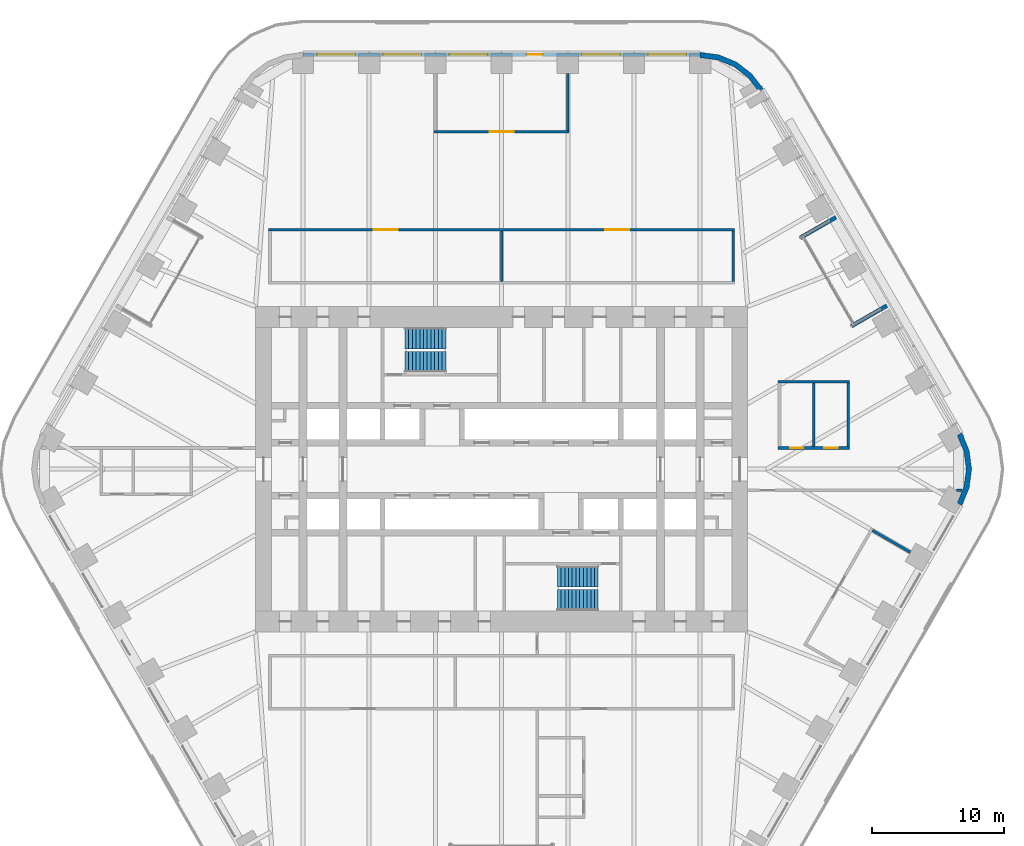
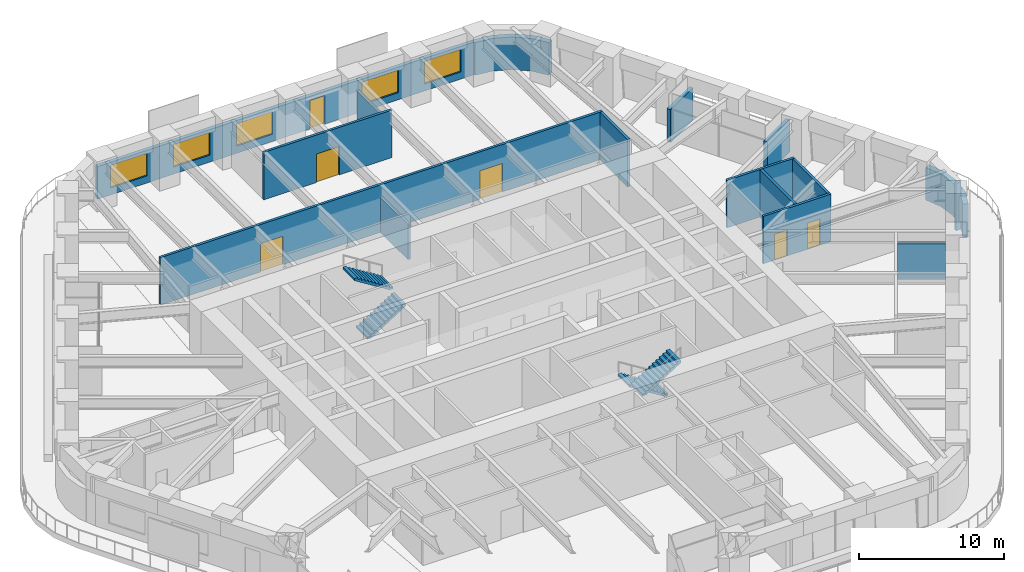
# One storey, part 21 of 24: 16 walls, 6 doors, 5 windows, 4 stair flights, 11 openings, 2 elements without a shape of their own.
"""IFC4 building model written with IfcOpenShell, lengths in metres."""

from ifc_helpers import new_model, si_unit, direction, frame, frame_2d, origin, place, context, subcontext, project, spatial, polyline, rectangle, outline, extrude, material, layer, layer_set, type_object, element, fill, aggregate, save


model = new_model("IFC4")

# Units and contexts
model_context = context("Model", 3, precision=1e-05, world=origin(), true_north=direction((0.0, 1.0)))
body_context = subcontext(model_context, "Body", "Model", "MODEL_VIEW")
ifc_project = project(units=[si_unit("LENGTHUNIT", "METRE"), si_unit("AREAUNIT", "SQUARE_METRE"), si_unit("VOLUMEUNIT", "CUBIC_METRE"), si_unit("PLANEANGLEUNIT", "RADIAN"), si_unit("MASSUNIT", "GRAM", prefix="KILO")], contexts=[model_context])

# Site, building, storey
site_placement = place(None, origin())
site = spatial("IfcSite", under=ifc_project, at=site_placement, CompositionType="ELEMENT")
building_placement = place(site_placement, origin())
building = spatial("IfcBuilding", under=site, at=building_placement, Name="Tarfa Lantern Tower", CompositionType="ELEMENT")
storey_placement = place(building_placement, frame((0.0, 0.0, 148.89990234375)))
storey = spatial("IfcBuildingStorey", under=building, at=storey_placement, Name="L33", CompositionType="ELEMENT", Elevation=148.89990234375)

# Walls
ifc_material_1 = material(Name="Limestone cladding on blockwork", Category="masonry")
ifc_layer_1 = layer(ifc_material_1, 0.300048828125)
ifc_layer_set_1 = layer_set([ifc_layer_1], Name="EW1 STONE-CLAD WALL 300")
wall_type_1 = type_object("IfcWallType", Name="EW1 STONE-CLAD WALL 300", PredefinedType="SOLIDWALL", material=ifc_layer_set_1)
wall_1_placement = place(storey_placement, frame((29.1201171875, 12.362548828125, 0.0), z_axis=(0.0, 0.0, 1.0), x_axis=(-0.86602952684, -0.49999285859, 0.0)))
element("IfcWall", 1, at=wall_1_placement, inside=storey, type_object=wall_type_1, Name="Loggia return NE 1", PredefinedType="SOLIDWALL", context=body_context, shape_type="SweptSolid", body=[
    extrude(rectangle(XDim=3.10009765625, YDim=0.300048828125, at=frame_2d((1.550048828125, 0.0))), origin(), (0.0, 0.0, 1.0), 2.75),
])
wall_2_placement = place(storey_placement, frame((25.266357421875, 19.037353515625, 0.0), z_axis=(0.0, 0.0, 1.0), x_axis=(-0.86600983753, -0.500026960575, 0.0)))
element("IfcWall", 2, at=wall_2_placement, inside=storey, type_object=wall_type_1, Name="Loggia return NE 2", PredefinedType="SOLIDWALL", context=body_context, shape_type="SweptSolid", body=[
    extrude(rectangle(XDim=3.099853515625, YDim=0.300048828125, at=frame_2d((1.5498046875, 0.0))), origin(), (0.0, 0.0, 1.0), 2.75),
])

# Wall, openings, door, windows
wall_3_placement = place(storey_placement, frame((15.010986328125, 31.35009765625, 0.0), z_axis=(0.0, 0.0, 1.0), x_axis=(-1.0, 0.0, 0.0)))
wall_3 = element("IfcWall", 3, at=wall_3_placement, inside=storey, type_object=wall_type_1, Name="Stone wall N", PredefinedType="SOLIDWALL", context=body_context, shape_type="SweptSolid", body=[
    extrude(rectangle(XDim=30.02197265625, YDim=0.300048828125, at=frame_2d((15.010986328125, 0.0))), origin(), (0.0, 0.0, 1.0), 2.75),
])
opening_1_placement = place(wall_3_placement, frame((1.0517578125, 0.0, 0.60009765625)))
opening_1 = element("IfcOpeningElement", 4, at=opening_1_placement, cuts=wall_3, Name="Opening W9", PredefinedType="OPENING", context=body_context, shape_type="SweptSolid", body=[
    extrude(rectangle(XDim=2.89990234375, YDim=1.89990234375, at=frame_2d((1.449951171875, 0.949951171875))), frame((0.0, 0.159912109375, 0.0), z_axis=(0.0, -1.0, 0.0), x_axis=(1.0, 0.0, 0.0)), (0.0, 0.0, 1.0), 0.320068359375),
])
opening_2_placement = place(wall_3_placement, frame((6.0556640625, 0.0, 0.60009765625)))
opening_2 = element("IfcOpeningElement", 5, at=opening_2_placement, cuts=wall_3, Name="Opening W9", PredefinedType="OPENING", context=body_context, shape_type="SweptSolid", body=[
    extrude(rectangle(XDim=2.89990234375, YDim=1.89990234375, at=frame_2d((1.449951171875, 0.949951171875))), frame((0.0, 0.159912109375, 0.0), z_axis=(0.0, -1.0, 0.0), x_axis=(1.0, 0.0, 0.0)), (0.0, 0.0, 1.0), 0.320068359375),
])
opening_3_placement = place(wall_3_placement, frame((11.9091796875, 0.0, 0.0)))
opening_3 = element("IfcOpeningElement", 6, at=opening_3_placement, cuts=wall_3, Name="Opening D48", PredefinedType="OPENING", context=body_context, shape_type="SweptSolid", body=[
    extrude(rectangle(XDim=1.199951171875, YDim=2.39990234375, at=frame_2d((0.60009765625, 1.199951171875))), frame((0.0, 0.159912109375, 0.0), z_axis=(0.0, -1.0, 0.0), x_axis=(1.0, 0.0, 0.0)), (0.0, 0.0, 1.0), 0.320068359375),
])
opening_4_placement = place(wall_3_placement, frame((16.06298828125, 0.0, 0.60009765625)))
opening_4 = element("IfcOpeningElement", 7, at=opening_4_placement, cuts=wall_3, Name="Opening W9", PredefinedType="OPENING", context=body_context, shape_type="SweptSolid", body=[
    extrude(rectangle(XDim=2.89990234375, YDim=1.89990234375, at=frame_2d((1.449951171875, 0.949951171875))), frame((0.0, 0.159912109375, 0.0), z_axis=(0.0, -1.0, 0.0), x_axis=(1.0, 0.0, 0.0)), (0.0, 0.0, 1.0), 0.320068359375),
])
opening_5_placement = place(wall_3_placement, frame((21.066650390625, 0.0, 0.60009765625)))
opening_5 = element("IfcOpeningElement", 8, at=opening_5_placement, cuts=wall_3, Name="Opening W9", PredefinedType="OPENING", context=body_context, shape_type="SweptSolid", body=[
    extrude(rectangle(XDim=2.89990234375, YDim=1.89990234375, at=frame_2d((1.449951171875, 0.949951171875))), frame((0.0, 0.159912109375, 0.0), z_axis=(0.0, -1.0, 0.0), x_axis=(1.0, 0.0, 0.0)), (0.0, 0.0, 1.0), 0.320068359375),
])
opening_6_placement = place(wall_3_placement, frame((26.0703125, 0.0, 0.60009765625)))
opening_6 = element("IfcOpeningElement", 9, at=opening_6_placement, cuts=wall_3, Name="Opening W9", PredefinedType="OPENING", context=body_context, shape_type="SweptSolid", body=[
    extrude(rectangle(XDim=2.89990234375, YDim=1.89990234375, at=frame_2d((1.449951171875, 0.949951171875))), frame((0.0, 0.159912109375, 0.0), z_axis=(0.0, -1.0, 0.0), x_axis=(1.0, 0.0, 0.0)), (0.0, 0.0, 1.0), 0.320068359375),
])
ifc_material_2 = material(Name="Aluminium framed glazed door", Category="aluminium")
door_type_1 = type_object("IfcDoorType", Name="BE3 BALCONY DOOR 1200x2400", OperationType="SINGLE_SWING_RIGHT", PredefinedType="DOOR", material=ifc_material_2)
door_1_placement = place(opening_3_placement, origin())
door_1 = element("IfcDoor", 10, at=door_1_placement, inside=storey, type_object=door_type_1, Name="Balcony door N", OperationType="SINGLE_SWING_RIGHT", OverallHeight=2.39990234375, OverallWidth=1.199951171875, PredefinedType="DOOR", context=body_context, shape_type="SweptSolid", body=[
    extrude(rectangle(XDim=1.199951171875, YDim=2.39990234375, at=frame_2d((0.60009765625, 1.199951171875))), frame((0.0, 0.02490234375, 0.0), z_axis=(0.0, -1.0, 0.0), x_axis=(1.0, 0.0, 0.0)), (0.0, 0.0, 1.0), 0.050048828125),
])
fill(opening_3, door_1)
ifc_material_3 = material(Name="Aluminium frame, double glazed", Category="aluminium")
window_type = type_object("IfcWindowType", Name="W9 FULL-HEIGHT GLAZING 2900x1900", PartitioningType="SINGLE_PANEL", PredefinedType="WINDOW", material=ifc_material_3)
window_1_placement = place(opening_1_placement, origin())
window_1 = element("IfcWindow", 11, at=window_1_placement, inside=storey, type_object=window_type, Name="Window N 1", OverallHeight=1.89990234375, OverallWidth=2.89990234375, PartitioningType="SINGLE_PANEL", PredefinedType="WINDOW", context=body_context, shape_type="SweptSolid", body=[
    extrude(rectangle(XDim=2.89990234375, YDim=1.89990234375, at=frame_2d((1.449951171875, 0.949951171875))), frame((0.0, 0.030029296875, 0.0), z_axis=(0.0, -1.0, 0.0), x_axis=(1.0, 0.0, 0.0)), (0.0, 0.0, 1.0), 0.06005859375),
])
fill(opening_1, window_1)
window_2_placement = place(opening_2_placement, origin())
window_2 = element("IfcWindow", 12, at=window_2_placement, inside=storey, type_object=window_type, Name="Window N 2", OverallHeight=1.89990234375, OverallWidth=2.89990234375, PartitioningType="SINGLE_PANEL", PredefinedType="WINDOW", context=body_context, shape_type="SweptSolid", body=[
    extrude(rectangle(XDim=2.89990234375, YDim=1.89990234375, at=frame_2d((1.449951171875, 0.949951171875))), frame((0.0, 0.030029296875, 0.0), z_axis=(0.0, -1.0, 0.0), x_axis=(1.0, 0.0, 0.0)), (0.0, 0.0, 1.0), 0.06005859375),
])
fill(opening_2, window_2)
window_3_placement = place(opening_4_placement, origin())
window_3 = element("IfcWindow", 13, at=window_3_placement, inside=storey, type_object=window_type, Name="Window N 4", OverallHeight=1.89990234375, OverallWidth=2.89990234375, PartitioningType="SINGLE_PANEL", PredefinedType="WINDOW", context=body_context, shape_type="SweptSolid", body=[
    extrude(rectangle(XDim=2.89990234375, YDim=1.89990234375, at=frame_2d((1.449951171875, 0.949951171875))), frame((0.0, 0.030029296875, 0.0), z_axis=(0.0, -1.0, 0.0), x_axis=(1.0, 0.0, 0.0)), (0.0, 0.0, 1.0), 0.06005859375),
])
fill(opening_4, window_3)
window_4_placement = place(opening_5_placement, origin())
window_4 = element("IfcWindow", 14, at=window_4_placement, inside=storey, type_object=window_type, Name="Window N 5", OverallHeight=1.89990234375, OverallWidth=2.89990234375, PartitioningType="SINGLE_PANEL", PredefinedType="WINDOW", context=body_context, shape_type="SweptSolid", body=[
    extrude(rectangle(XDim=2.89990234375, YDim=1.89990234375, at=frame_2d((1.449951171875, 0.949951171875))), frame((0.0, 0.030029296875, 0.0), z_axis=(0.0, -1.0, 0.0), x_axis=(1.0, 0.0, 0.0)), (0.0, 0.0, 1.0), 0.06005859375),
])
fill(opening_5, window_4)
window_5_placement = place(opening_6_placement, origin())
window_5 = element("IfcWindow", 15, at=window_5_placement, inside=storey, type_object=window_type, Name="Window N 6", OverallHeight=1.89990234375, OverallWidth=2.89990234375, PartitioningType="SINGLE_PANEL", PredefinedType="WINDOW", context=body_context, shape_type="SweptSolid", body=[
    extrude(rectangle(XDim=2.89990234375, YDim=1.89990234375, at=frame_2d((1.449951171875, 0.949951171875))), frame((0.0, 0.030029296875, 0.0), z_axis=(0.0, -1.0, 0.0), x_axis=(1.0, 0.0, 0.0)), (0.0, 0.0, 1.0), 0.06005859375),
])
fill(opening_6, window_5)

# Walls
ifc_layer_2 = layer(ifc_material_1, 0.39990234375)
ifc_layer_set_2 = layer_set([ifc_layer_2], Name="EW2 CURVED STONE CORNER 400")
wall_type_2 = type_object("IfcWallType", Name="EW2 CURVED STONE CORNER 400", PredefinedType="SOLIDWALL", material=ifc_layer_set_2)
wall_4_placement = place(storey_placement, origin())
element("IfcWall", 16, at=wall_4_placement, inside=storey, type_object=wall_type_2, Name="Stone corner NE-N", PredefinedType="SOLIDWALL", context=body_context, shape_type="SweptSolid", body=[
    extrude(outline(polyline([(19.774169921875, 28.75), (18.900146484375, 29.88916015625), (17.760986328125, 30.76318359375), (16.4345703125, 31.3125), (15.010986328125, 31.5), (15.010986328125, 31.10009765625), (16.3310546875, 30.92626953125), (17.56103515625, 30.416748046875), (18.617431640625, 29.606201171875), (19.427734375, 28.550048828125), (19.774169921875, 28.75)])), origin(), (0.0, 0.0, 1.0), 2.75),
])
wall_5_placement = place(storey_placement, origin())
element("IfcWall", 17, at=wall_5_placement, inside=storey, type_object=wall_type_2, Name="Stone corner SE-NE", PredefinedType="SOLIDWALL", context=body_context, shape_type="SweptSolid", body=[
    extrude(outline(polyline([(34.785400390625, -2.75), (35.334716796875, -1.423583984375), (35.522216796875, 0.0), (35.334716796875, 1.423583984375), (34.785400390625, 2.75), (34.43896484375, 2.550048828125), (34.948486328125, 1.320068359375), (35.122314453125, 0.0), (34.948486328125, -1.320068359375), (34.43896484375, -2.550048828125), (34.785400390625, -2.75)])), origin(), (0.0, 0.0, 1.0), 2.75),
])

# Wall, openings, doors
ifc_material_4 = material(Name="Gypsum board on steel studs", Category="steel")
ifc_layer_3 = layer(ifc_material_4, 0.2099609375)
ifc_layer_set_3 = layer_set([ifc_layer_3], Name="IW2 ACOUSTIC PARTITION 200")
wall_type_3 = type_object("IfcWallType", Name="IW2 ACOUSTIC PARTITION 200", PredefinedType="PARTITIONING", material=ifc_layer_set_3)
wall_6_placement = place(storey_placement, frame((-17.60009765625, 18.10009765625, 0.0), z_axis=(0.0, 0.0, 1.0), x_axis=(1.0, 0.0, 0.0)))
wall_6 = element("IfcWall", 18, at=wall_6_placement, inside=storey, type_object=wall_type_3, Name="Partition", PredefinedType="PARTITIONING", context=body_context, shape_type="SweptSolid", body=[
    extrude(rectangle(XDim=35.2001953125, YDim=0.199951171875, at=frame_2d((17.60009765625, 0.0))), origin(), (0.0, 0.0, 1.0), 4.0),
])
opening_7_placement = place(wall_6_placement, frame((7.949951171875, 0.0, 0.0)))
opening_7 = element("IfcOpeningElement", 19, at=opening_7_placement, cuts=wall_6, Name="Opening D37", PredefinedType="OPENING", context=body_context, shape_type="SweptSolid", body=[
    extrude(rectangle(XDim=1.800048828125, YDim=2.39990234375, at=frame_2d((0.89990234375, 1.199951171875))), frame((0.0, 0.10986328125, 0.0), z_axis=(0.0, -1.0, 0.0), x_axis=(1.0, 0.0, 0.0)), (0.0, 0.0, 1.0), 0.219970703125),
])
opening_8_placement = place(wall_6_placement, frame((25.449951171875, 0.0, 0.0)))
opening_8 = element("IfcOpeningElement", 20, at=opening_8_placement, cuts=wall_6, Name="Opening D38", PredefinedType="OPENING", context=body_context, shape_type="SweptSolid", body=[
    extrude(rectangle(XDim=1.800048828125, YDim=2.39990234375, at=frame_2d((0.89990234375, 1.199951171875))), frame((0.0, 0.10986328125, 0.0), z_axis=(0.0, -1.0, 0.0), x_axis=(1.0, 0.0, 0.0)), (0.0, 0.0, 1.0), 0.219970703125),
])
ifc_material_5 = material(Name="Timber door", Category="wood")
door_type_2 = type_object("IfcDoorType", Name="DR2 ROOM DOOR 1800x2400", OperationType="DOUBLE_DOOR_SINGLE_SWING", PredefinedType="DOOR", material=ifc_material_5)
door_2_placement = place(opening_7_placement, frame((1.800048828125, 0.0, 0.0), z_axis=(0.0, 0.0, 1.0), x_axis=(-1.0, 0.0, 0.0)))
door_2 = element("IfcDoor", 21, at=door_2_placement, inside=storey, type_object=door_type_2, Name="War room door", OperationType="DOUBLE_DOOR_SINGLE_SWING", OverallHeight=2.39990234375, OverallWidth=1.800048828125, PredefinedType="DOOR", context=body_context, shape_type="SweptSolid", body=[
    extrude(rectangle(XDim=1.800048828125, YDim=2.39990234375, at=frame_2d((0.89990234375, 1.199951171875))), frame((0.0, 0.02490234375, 0.0), z_axis=(0.0, -1.0, 0.0), x_axis=(1.0, 0.0, 0.0)), (0.0, 0.0, 1.0), 0.050048828125),
])
fill(opening_7, door_2)
door_3_placement = place(opening_8_placement, frame((1.800048828125, 0.0, 0.0), z_axis=(0.0, 0.0, 1.0), x_axis=(-1.0, 0.0, 0.0)))
door_3 = element("IfcDoor", 22, at=door_3_placement, inside=storey, type_object=door_type_2, Name="War room door", OperationType="DOUBLE_DOOR_SINGLE_SWING", OverallHeight=2.39990234375, OverallWidth=1.800048828125, PredefinedType="DOOR", context=body_context, shape_type="SweptSolid", body=[
    extrude(rectangle(XDim=1.800048828125, YDim=2.39990234375, at=frame_2d((0.89990234375, 1.199951171875))), frame((0.0, 0.02490234375, 0.0), z_axis=(0.0, -1.0, 0.0), x_axis=(1.0, 0.0, 0.0)), (0.0, 0.0, 1.0), 0.050048828125),
])
fill(opening_8, door_3)

# Walls
wall_7_placement = place(storey_placement, frame((0.0, 14.199951171875, 0.0), z_axis=(0.0, 0.0, 1.0), x_axis=(0.0, 1.0, 0.0)))
element("IfcWall", 23, at=wall_7_placement, inside=storey, type_object=wall_type_3, Name="Partition", PredefinedType="PARTITIONING", context=body_context, shape_type="SweptSolid", body=[
    extrude(rectangle(XDim=3.800048828125, YDim=0.199951171875, at=frame_2d((1.89990234375, 0.0))), origin(), (0.0, 0.0, 1.0), 2.991943359375),
])
wall_8_placement = place(storey_placement, frame((17.5, 14.199951171875, 0.0), z_axis=(0.0, 0.0, 1.0), x_axis=(0.0, 1.0, 0.0)))
element("IfcWall", 24, at=wall_8_placement, inside=storey, type_object=wall_type_3, Name="Partition", PredefinedType="PARTITIONING", context=body_context, shape_type="SweptSolid", body=[
    extrude(rectangle(XDim=3.800048828125, YDim=0.199951171875, at=frame_2d((1.89990234375, 0.0))), origin(), (0.0, 0.0, 1.0), 4.0),
])

# Wall, opening, door
wall_9_placement = place(storey_placement, frame((5.103759765625, 25.5, 0.0), z_axis=(0.0, 0.0, 1.0), x_axis=(-1.0, 0.0, 0.0)))
wall_9 = element("IfcWall", 25, at=wall_9_placement, inside=storey, type_object=wall_type_3, Name="Partition", PredefinedType="PARTITIONING", context=body_context, shape_type="SweptSolid", body=[
    extrude(rectangle(XDim=10.20751953125, YDim=0.199951171875, at=frame_2d((5.103759765625, 0.0))), origin(), (0.0, 0.0, 1.0), 4.0),
])
opening_9_placement = place(wall_9_placement, frame((4.20361328125, 0.0, 0.0)))
opening_9 = element("IfcOpeningElement", 26, at=opening_9_placement, cuts=wall_9, Name="Opening D35", PredefinedType="OPENING", context=body_context, shape_type="SweptSolid", body=[
    extrude(rectangle(XDim=1.800048828125, YDim=2.39990234375, at=frame_2d((0.89990234375, 1.199951171875))), frame((0.0, 0.10986328125, 0.0), z_axis=(0.0, -1.0, 0.0), x_axis=(1.0, 0.0, 0.0)), (0.0, 0.0, 1.0), 0.219970703125),
])
door_4_placement = place(opening_9_placement, frame((1.800048828125, 0.0, 0.0), z_axis=(0.0, 0.0, 1.0), x_axis=(-1.0, 0.0, 0.0)))
door_4 = element("IfcDoor", 27, at=door_4_placement, inside=storey, type_object=door_type_2, Name="Research library door", OperationType="DOUBLE_DOOR_SINGLE_SWING", OverallHeight=2.39990234375, OverallWidth=1.800048828125, PredefinedType="DOOR", context=body_context, shape_type="SweptSolid", body=[
    extrude(rectangle(XDim=1.800048828125, YDim=2.39990234375, at=frame_2d((0.89990234375, 1.199951171875))), frame((0.0, 0.02490234375, 0.0), z_axis=(0.0, -1.0, 0.0), x_axis=(1.0, 0.0, 0.0)), (0.0, 0.0, 1.0), 0.050048828125),
])
fill(opening_9, door_4)

# Walls
wall_10_placement = place(storey_placement, frame((5.003662109375, 25.60009765625, 0.0), z_axis=(0.0, 0.0, 1.0), x_axis=(0.0, 1.0, 0.0)))
element("IfcWall", 28, at=wall_10_placement, inside=storey, type_object=wall_type_3, Name="Partition", PredefinedType="PARTITIONING", context=body_context, shape_type="SweptSolid", body=[
    extrude(rectangle(XDim=4.2998046875, YDim=0.199951171875, at=frame_2d((2.14990234375, 0.0))), origin(), (0.0, 0.0, 1.0), 2.991943359375),
])
wall_11_placement = place(storey_placement, frame((28.0400390625, -4.63330078125, 0.0), z_axis=(0.0, 0.0, 1.0), x_axis=(0.866008176907, -0.50002983664, 0.0)))
element("IfcWall", 29, at=wall_11_placement, inside=storey, type_object=wall_type_3, Name="Partition", PredefinedType="PARTITIONING", context=body_context, shape_type="SweptSolid", body=[
    extrude(rectangle(XDim=3.300048828125, YDim=0.199951171875, at=frame_2d((1.64990234375, 0.0))), origin(), (0.0, 0.0, 1.0), 3.081787109375),
])

# Wall, openings, doors
wall_12_placement = place(storey_placement, frame((20.89990234375, 1.60009765625, 0.0), z_axis=(0.0, 0.0, 1.0), x_axis=(1.0, 0.0, 0.0)))
wall_12 = element("IfcWall", 30, at=wall_12_placement, inside=storey, type_object=wall_type_3, Name="Partition", PredefinedType="PARTITIONING", context=body_context, shape_type="SweptSolid", body=[
    extrude(rectangle(XDim=5.400146484375, YDim=0.199951171875, at=frame_2d((2.7001953125, 0.0))), origin(), (0.0, 0.0, 1.0), 4.0),
])
opening_10_placement = place(wall_12_placement, frame((0.89990234375, 0.0, 0.0)))
opening_10 = element("IfcOpeningElement", 31, at=opening_10_placement, cuts=wall_12, Name="Opening D33", PredefinedType="OPENING", context=body_context, shape_type="SweptSolid", body=[
    extrude(rectangle(XDim=1.0, YDim=2.199951171875, at=frame_2d((0.5, 1.10009765625))), frame((0.0, 0.10986328125, 0.0), z_axis=(0.0, -1.0, 0.0), x_axis=(1.0, 0.0, 0.0)), (0.0, 0.0, 1.0), 0.219970703125),
])
opening_11_placement = place(wall_12_placement, frame((3.5, 0.0, 0.0)))
opening_11 = element("IfcOpeningElement", 32, at=opening_11_placement, cuts=wall_12, Name="Opening D34", PredefinedType="OPENING", context=body_context, shape_type="SweptSolid", body=[
    extrude(rectangle(XDim=1.0, YDim=2.199951171875, at=frame_2d((0.5, 1.10009765625))), frame((0.0, 0.10986328125, 0.0), z_axis=(0.0, -1.0, 0.0), x_axis=(1.0, 0.0, 0.0)), (0.0, 0.0, 1.0), 0.219970703125),
])
door_type_3 = type_object("IfcDoorType", Name="DR1 ROOM DOOR 1000x2200", OperationType="SINGLE_SWING_LEFT", PredefinedType="DOOR", material=ifc_material_5)
door_5_placement = place(opening_10_placement, origin())
door_5 = element("IfcDoor", 33, at=door_5_placement, inside=storey, type_object=door_type_3, Name="Focus room door", OperationType="SINGLE_SWING_RIGHT", OverallHeight=2.199951171875, OverallWidth=1.0, PredefinedType="DOOR", context=body_context, shape_type="SweptSolid", body=[
    extrude(rectangle(XDim=1.0, YDim=2.199951171875, at=frame_2d((0.5, 1.10009765625))), frame((0.0, 0.02490234375, 0.0), z_axis=(0.0, -1.0, 0.0), x_axis=(1.0, 0.0, 0.0)), (0.0, 0.0, 1.0), 0.050048828125),
])
fill(opening_10, door_5)
door_6_placement = place(opening_11_placement, origin())
door_6 = element("IfcDoor", 34, at=door_6_placement, inside=storey, type_object=door_type_3, Name="Focus room door", OperationType="SINGLE_SWING_LEFT", OverallHeight=2.199951171875, OverallWidth=1.0, PredefinedType="DOOR", context=body_context, shape_type="SweptSolid", body=[
    extrude(rectangle(XDim=1.0, YDim=2.199951171875, at=frame_2d((0.5, 1.10009765625))), frame((0.0, 0.02490234375, 0.0), z_axis=(0.0, -1.0, 0.0), x_axis=(1.0, 0.0, 0.0)), (0.0, 0.0, 1.0), 0.050048828125),
])
fill(opening_11, door_6)

# Walls
wall_13_placement = place(storey_placement, frame((20.89990234375, 6.60009765625, 0.0), z_axis=(0.0, 0.0, 1.0), x_axis=(1.0, 0.0, 0.0)))
element("IfcWall", 35, at=wall_13_placement, inside=storey, type_object=wall_type_3, Name="Partition", PredefinedType="PARTITIONING", context=body_context, shape_type="SweptSolid", body=[
    extrude(rectangle(XDim=5.400146484375, YDim=0.199951171875, at=frame_2d((2.7001953125, 0.0))), origin(), (0.0, 0.0, 1.0), 4.0),
])
for number, where, z_axis, x_axis, name in (
    (36, (23.60009765625, 1.699951171875, 0.0), (0.0, 0.0, 1.0), (0.0, 1.0, 0.0), "Partition"),
    (37, (26.199951171875, 1.699951171875, 0.0), (0.0, 0.0, 1.0), (0.0, 1.0, 0.0), "Partition"),
):
    element("IfcWall", number, at=place(storey_placement, frame(where, z_axis=z_axis, x_axis=x_axis)), inside=storey, type_object=wall_type_3, Name=name, PredefinedType="PARTITIONING", context=body_context, shape_type="SweptSolid", body=[
        extrude(rectangle(XDim=4.800048828125, YDim=0.199951171875, at=frame_2d((2.39990234375, 0.0))), origin(), (0.0, 0.0, 1.0), 4.0),
    ])
wall_14_placement = place(storey_placement, frame((34.3935546875, -1.60009765625, 0.0), z_axis=(0.0, 0.0, 1.0), x_axis=(1.0, 0.0, 0.0)))
element("IfcWall", 38, at=wall_14_placement, inside=storey, type_object=wall_type_3, Name="Partition", PredefinedType="PARTITIONING", context=body_context, shape_type="SweptSolid", body=[
    extrude(rectangle(XDim=0.397705078125, YDim=0.199951171875, at=frame_2d((0.19873046875, 0.0))), origin(), (0.0, 0.0, 1.0), 4.0),
])

# Stair, stair flights
ifc_material_6 = material(Name="Concrete C40/50", Category="concrete")
stair_type = type_object("IfcStairType", Name="ST-T10 HALF-TURN STAIR 4200 RISE", PredefinedType="HALF_TURN_STAIR", material=ifc_material_6)
stair_1_placement = place(storey_placement, origin())
stair_1 = element("IfcStair", 39, at=stair_1_placement, inside=storey, type_object=stair_type, Name="Stair ST1", PredefinedType="HALF_TURN_STAIR")
stair_flight_type = type_object("IfcStairFlightType", Name="SF1 STAIR FLIGHT", PredefinedType="STRAIGHT", material=ifc_material_6)
stair_flight_1_placement = place(storey_placement, frame((-7.300048828125, 8.10009765625, 0.0), z_axis=(0.0, 0.0, 1.0), x_axis=(1.0, 0.0, 0.0)))
stair_flight_1 = element("IfcStairFlight", 40, at=stair_flight_1_placement, type_object=stair_flight_type, Name="ST1 flight 1", NumberOfRisers=12, NumberOfTreads=11, PredefinedType="STRAIGHT", RiserHeight=0.175, TreadLength=0.28, context=body_context, shape_type="SweptSolid", body=[
    extrude(outline(polyline([(0.0, 0.0), (0.0, 0.175048828125), (0.280029296875, 0.175048828125), (0.280029296875, 0.35009765625), (0.56005859375, 0.35009765625), (0.56005859375, 0.52490234375), (0.840087890625, 0.52490234375), (0.840087890625, 0.699951171875), (1.1201171875, 0.699951171875), (1.1201171875, 0.875), (1.39990234375, 0.875), (1.39990234375, 1.050048828125), (1.679931640625, 1.050048828125), (1.679931640625, 1.22509765625), (1.9599609375, 1.22509765625), (1.9599609375, 1.39990234375), (2.239990234375, 1.39990234375), (2.239990234375, 1.574951171875), (2.52001953125, 1.574951171875), (2.52001953125, 1.75), (2.800048828125, 1.75), (2.800048828125, 1.925048828125), (3.080078125, 1.925048828125), (3.080078125, 2.10009765625), (3.080078125, 1.748291015625), (0.28271484375, 0.0), (0.0, 0.0)])), frame((0.0, 0.800048828125, 0.0), z_axis=(0.0, -1.0, 0.0), x_axis=(1.0, 0.0, 0.0)), (0.0, 0.0, 1.0), 1.60009765625),
])
stair_flight_2_placement = place(storey_placement, frame((-4.219970703125, 9.89990234375, 2.10009765625), z_axis=(0.0, 0.0, 1.0), x_axis=(-1.0, 0.0, 0.0)))
stair_flight_2 = element("IfcStairFlight", 41, at=stair_flight_2_placement, type_object=stair_flight_type, Name="ST1 flight 2", NumberOfRisers=12, NumberOfTreads=11, PredefinedType="STRAIGHT", RiserHeight=0.175, TreadLength=0.28, context=body_context, shape_type="SweptSolid", body=[
    extrude(outline(polyline([(0.0, 0.0), (0.0, 0.175048828125), (0.280029296875, 0.175048828125), (0.280029296875, 0.35009765625), (0.56005859375, 0.35009765625), (0.56005859375, 0.52490234375), (0.840087890625, 0.52490234375), (0.840087890625, 0.699951171875), (1.1201171875, 0.699951171875), (1.1201171875, 0.875), (1.39990234375, 0.875), (1.39990234375, 1.050048828125), (1.679931640625, 1.050048828125), (1.679931640625, 1.22509765625), (1.9599609375, 1.22509765625), (1.9599609375, 1.39990234375), (2.239990234375, 1.39990234375), (2.239990234375, 1.574951171875), (2.52001953125, 1.574951171875), (2.52001953125, 1.75), (2.800048828125, 1.75), (2.800048828125, 1.925048828125), (3.080078125, 1.925048828125), (3.080078125, 2.10009765625), (3.080078125, 1.748291015625), (0.28271484375, 0.0), (0.0, 0.0)])), frame((0.0, 0.800048828125, 0.0), z_axis=(0.0, -1.0, 0.0), x_axis=(1.0, 0.0, 0.0)), (0.0, 0.0, 1.0), 1.60009765625),
])
aggregate(stair_1, [stair_flight_1, stair_flight_2])

stair_2_placement = place(storey_placement, origin())
stair_2 = element("IfcStair", 42, at=stair_2_placement, inside=storey, type_object=stair_type, Name="Stair ST2", PredefinedType="HALF_TURN_STAIR")
stair_flight_3_placement = place(storey_placement, frame((7.300048828125, -8.10009765625, 0.0), z_axis=(0.0, 0.0, 1.0), x_axis=(-1.0, 0.0, 0.0)))
stair_flight_3 = element("IfcStairFlight", 43, at=stair_flight_3_placement, type_object=stair_flight_type, Name="ST2 flight 1", NumberOfRisers=12, NumberOfTreads=11, PredefinedType="STRAIGHT", RiserHeight=0.175, TreadLength=0.28, context=body_context, shape_type="SweptSolid", body=[
    extrude(outline(polyline([(0.0, 0.0), (0.0, 0.175048828125), (0.280029296875, 0.175048828125), (0.280029296875, 0.35009765625), (0.56005859375, 0.35009765625), (0.56005859375, 0.52490234375), (0.840087890625, 0.52490234375), (0.840087890625, 0.699951171875), (1.1201171875, 0.699951171875), (1.1201171875, 0.875), (1.39990234375, 0.875), (1.39990234375, 1.050048828125), (1.679931640625, 1.050048828125), (1.679931640625, 1.22509765625), (1.9599609375, 1.22509765625), (1.9599609375, 1.39990234375), (2.239990234375, 1.39990234375), (2.239990234375, 1.574951171875), (2.52001953125, 1.574951171875), (2.52001953125, 1.75), (2.800048828125, 1.75), (2.800048828125, 1.925048828125), (3.080078125, 1.925048828125), (3.080078125, 2.10009765625), (3.080078125, 1.748291015625), (0.28271484375, 0.0), (0.0, 0.0)])), frame((0.0, 0.800048828125, 0.0), z_axis=(0.0, -1.0, 0.0), x_axis=(1.0, 0.0, 0.0)), (0.0, 0.0, 1.0), 1.60009765625),
])
stair_flight_4_placement = place(storey_placement, frame((4.219970703125, -9.89990234375, 2.10009765625), z_axis=(0.0, 0.0, 1.0), x_axis=(1.0, 0.0, 0.0)))
stair_flight_4 = element("IfcStairFlight", 44, at=stair_flight_4_placement, type_object=stair_flight_type, Name="ST2 flight 2", NumberOfRisers=12, NumberOfTreads=11, PredefinedType="STRAIGHT", RiserHeight=0.175, TreadLength=0.28, context=body_context, shape_type="SweptSolid", body=[
    extrude(outline(polyline([(0.0, 0.0), (0.0, 0.175048828125), (0.280029296875, 0.175048828125), (0.280029296875, 0.35009765625), (0.56005859375, 0.35009765625), (0.56005859375, 0.52490234375), (0.840087890625, 0.52490234375), (0.840087890625, 0.699951171875), (1.1201171875, 0.699951171875), (1.1201171875, 0.875), (1.39990234375, 0.875), (1.39990234375, 1.050048828125), (1.679931640625, 1.050048828125), (1.679931640625, 1.22509765625), (1.9599609375, 1.22509765625), (1.9599609375, 1.39990234375), (2.239990234375, 1.39990234375), (2.239990234375, 1.574951171875), (2.52001953125, 1.574951171875), (2.52001953125, 1.75), (2.800048828125, 1.75), (2.800048828125, 1.925048828125), (3.080078125, 1.925048828125), (3.080078125, 2.10009765625), (3.080078125, 1.748291015625), (0.28271484375, 0.0), (0.0, 0.0)])), frame((0.0, 0.800048828125, 0.0), z_axis=(0.0, -1.0, 0.0), x_axis=(1.0, 0.0, 0.0)), (0.0, 0.0, 1.0), 1.60009765625),
])
aggregate(stair_2, [stair_flight_3, stair_flight_4])

save(model, "model.ifc")
